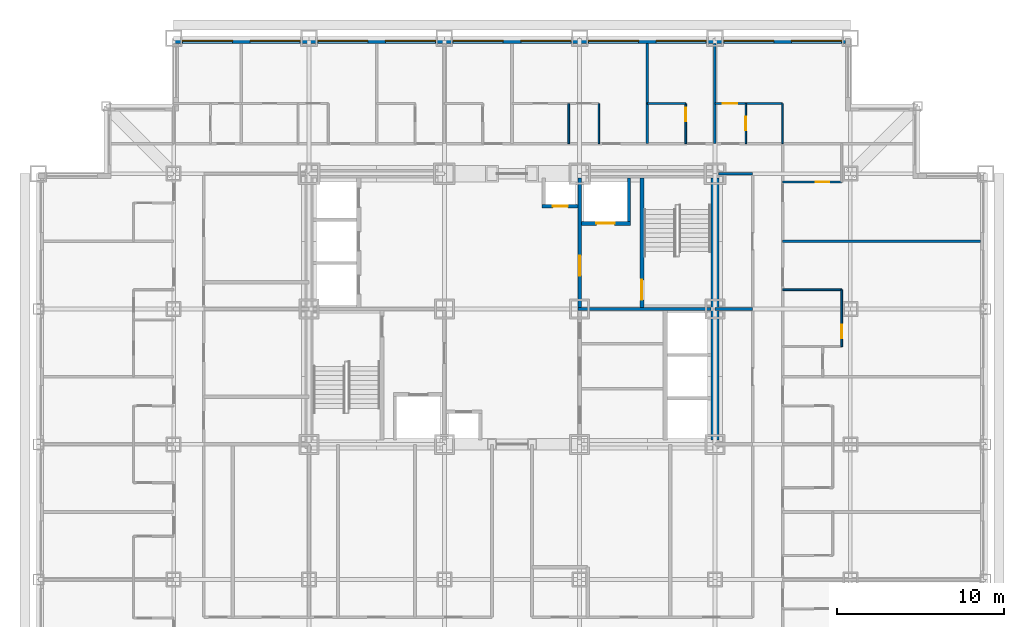
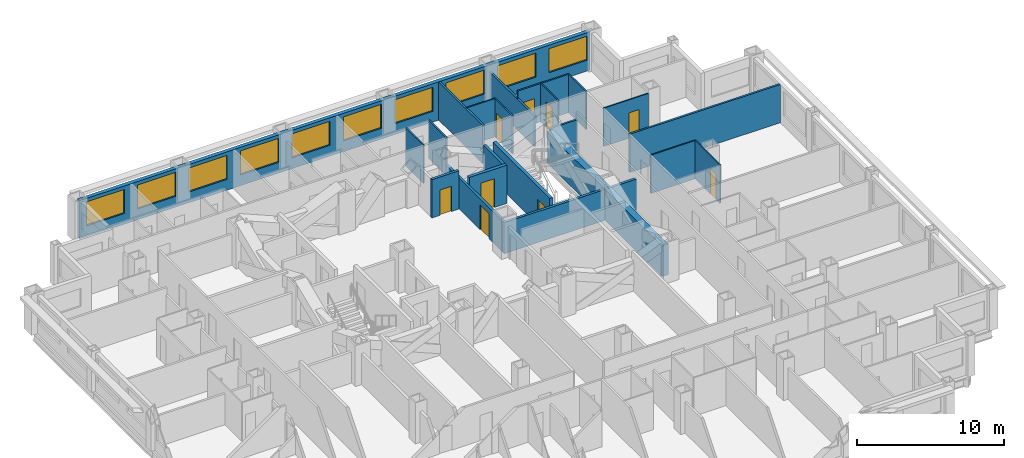
# One storey, part 10 of 12: 23 walls, 10 windows, 9 doors, 19 openings.
"""IFC4 building model written with IfcOpenShell, lengths in metres."""

from ifc_helpers import new_model, si_unit, direction, frame, frame_2d, origin, place, context, subcontext, project, spatial, rectangle, extrude, material, layer, layer_set, type_object, element, fill, save


model = new_model("IFC4")

# Units and contexts
model_context = context("Model", 3, precision=1e-05, world=origin(), true_north=direction((0.0, 1.0)))
body_context = subcontext(model_context, "Body", "Model", "MODEL_VIEW")
ifc_project = project(units=[si_unit("LENGTHUNIT", "METRE"), si_unit("AREAUNIT", "SQUARE_METRE"), si_unit("VOLUMEUNIT", "CUBIC_METRE"), si_unit("PLANEANGLEUNIT", "RADIAN"), si_unit("MASSUNIT", "GRAM", prefix="KILO")], contexts=[model_context])

# Site, building, storey
site_placement = place(None, origin())
site = spatial("IfcSite", under=ifc_project, at=site_placement, CompositionType="ELEMENT")
building_placement = place(site_placement, origin())
building = spatial("IfcBuilding", under=site, at=building_placement, Name="Kopane Lantern Tower", CompositionType="ELEMENT")
storey_placement = place(building_placement, frame((0.0, 0.0, 70.39990234375)))
storey = spatial("IfcBuildingStorey", under=building, at=storey_placement, Name="L17", CompositionType="ELEMENT", Elevation=70.39990234375)

# Wall, opening, door
ifc_material_1 = material(Name="Gypsum board on steel studs", Category="steel")
ifc_layer_1 = layer(ifc_material_1, 0.1201171875)
ifc_layer_set_1 = layer_set([ifc_layer_1], Name="APARTMENT INTERNAL WALL 120")
wall_type_1 = type_object("IfcWallType", Name="APARTMENT INTERNAL WALL 120", PredefinedType="PARTITIONING", material=ifc_layer_set_1)
wall_1_placement = place(storey_placement, frame((40.5, 44.699951171875, 0.0), z_axis=(0.0, 0.0, 1.0), x_axis=(1.0, 0.0, 0.0)))
wall_1 = element("IfcWall", 1, at=wall_1_placement, inside=storey, type_object=wall_type_1, Name="Apartment Internal Wall 120 L17", PredefinedType="PARTITIONING", context=body_context, shape_type="SweptSolid", body=[
    extrude(rectangle(XDim=4.050048828125, YDim=0.1201171875, at=frame_2d((2.02490234375, 0.0))), origin(), (0.0, 0.0, 1.0), 3.190185546875),
])
opening_1_placement = place(wall_1_placement, frame((0.47509765625, 0.0, 0.0)))
opening_1 = element("IfcOpeningElement", 2, at=opening_1_placement, cuts=wall_1, Name="Opening L17-079", PredefinedType="OPENING", context=body_context, shape_type="SweptSolid", body=[
    extrude(rectangle(XDim=0.85009765625, YDim=2.10009765625, at=frame_2d((0.425048828125, 1.050048828125))), frame((0.0, 0.070068359375, 0.0), z_axis=(0.0, -1.0, 0.0), x_axis=(1.0, 0.0, 0.0)), (0.0, 0.0, 1.0), 0.14013671875),
])
ifc_material_2 = material(Name="Timber door set", Category="wood")
door_type_1 = type_object("IfcDoorType", Name="DOOR D4 850x2100", OperationType="SINGLE_SWING_LEFT", PredefinedType="DOOR", material=ifc_material_2)
door_1_placement = place(opening_1_placement, origin())
door_1 = element("IfcDoor", 3, at=door_1_placement, inside=storey, type_object=door_type_1, Name="Door L17-079", OperationType="SINGLE_SWING_LEFT", OverallHeight=2.10009765625, OverallWidth=0.85009765625, PredefinedType="DOOR", context=body_context, shape_type="SweptSolid", body=[
    extrude(rectangle(XDim=0.85009765625, YDim=2.10009765625, at=frame_2d((0.425048828125, 1.050048828125))), frame((0.0, 0.02490234375, 0.0), z_axis=(0.0, -1.0, 0.0), x_axis=(1.0, 0.0, 0.0)), (0.0, 0.0, 1.0), 0.050048828125),
])
fill(opening_1, door_1)

# Walls
ifc_material_3 = material(Name="Moisture-resistant board on steel studs", Category="steel")
ifc_layer_2 = layer(ifc_material_3, 0.10009765625)
ifc_layer_set_2 = layer_set([ifc_layer_2], Name="BATHROOM WALL 100")
wall_type_2 = type_object("IfcWallType", Name="BATHROOM WALL 100", PredefinedType="PARTITIONING", material=ifc_layer_set_2)
for number, where, z_axis, x_axis, name in (
    (4, (31.75, 42.300048828125, 0.0), (0.0, 0.0, 1.0), (0.0, 1.0, 0.0), "Bathroom Wall 100 L17"),
    (5, (33.550048828125, 42.300048828125, 0.0), (0.0, 0.0, 1.0), (0.0, 1.0, 0.0), "Bathroom Wall 100 L17"),
):
    element("IfcWall", number, at=place(storey_placement, frame(where, z_axis=z_axis, x_axis=x_axis)), inside=storey, type_object=wall_type_2, Name=name, PredefinedType="PARTITIONING", context=body_context, shape_type="SweptSolid", body=[
        extrude(rectangle(XDim=2.39990234375, YDim=0.10009765625, at=frame_2d((1.199951171875, 0.0))), origin(), (0.0, 0.0, 1.0), 3.190185546875),
    ])
wall_2_placement = place(storey_placement, frame((36.449951171875, 44.699951171875, 0.0), z_axis=(0.0, 0.0, 1.0), x_axis=(1.0, 0.0, 0.0)))
element("IfcWall", 6, at=wall_2_placement, inside=storey, type_object=wall_type_2, Name="Bathroom Wall 100 L17", PredefinedType="PARTITIONING", context=body_context, shape_type="SweptSolid", body=[
    extrude(rectangle(XDim=2.300048828125, YDim=0.10009765625, at=frame_2d((1.14990234375, 0.0))), origin(), (0.0, 0.0, 1.0), 3.190185546875),
])

# Wall, opening, door
wall_3_placement = place(storey_placement, frame((38.75, 42.300048828125, 0.0), z_axis=(0.0, 0.0, 1.0), x_axis=(0.0, 1.0, 0.0)))
wall_3 = element("IfcWall", 7, at=wall_3_placement, inside=storey, type_object=wall_type_2, Name="Bathroom Wall 100 L17", PredefinedType="PARTITIONING", context=body_context, shape_type="SweptSolid", body=[
    extrude(rectangle(XDim=2.39990234375, YDim=0.10009765625, at=frame_2d((1.199951171875, 0.0))), origin(), (0.0, 0.0, 1.0), 3.190185546875),
])
opening_2_placement = place(wall_3_placement, frame((1.35009765625, 0.0, 0.0)))
opening_2 = element("IfcOpeningElement", 8, at=opening_2_placement, cuts=wall_3, Name="Opening L17-039", PredefinedType="OPENING", context=body_context, shape_type="SweptSolid", body=[
    extrude(rectangle(XDim=0.800048828125, YDim=2.10009765625, at=frame_2d((0.39990234375, 1.050048828125))), frame((0.0, 0.06005859375, 0.0), z_axis=(0.0, -1.0, 0.0), x_axis=(1.0, 0.0, 0.0)), (0.0, 0.0, 1.0), 0.1201171875),
])
ifc_material_4 = material(Name="Timber door set", Category="wood")
door_type_2 = type_object("IfcDoorType", Name="DOOR D2 800x2100", OperationType="SINGLE_SWING_LEFT", PredefinedType="DOOR", material=ifc_material_4)
door_2_placement = place(opening_2_placement, origin())
door_2 = element("IfcDoor", 9, at=door_2_placement, inside=storey, type_object=door_type_2, Name="Door L17-039", OperationType="SINGLE_SWING_RIGHT", OverallHeight=2.10009765625, OverallWidth=0.800048828125, PredefinedType="DOOR", context=body_context, shape_type="SweptSolid", body=[
    extrude(rectangle(XDim=0.800048828125, YDim=2.10009765625, at=frame_2d((0.39990234375, 1.050048828125))), frame((0.0, 0.02490234375, 0.0), z_axis=(0.0, -1.0, 0.0), x_axis=(1.0, 0.0, 0.0)), (0.0, 0.0, 1.0), 0.050048828125),
])
fill(opening_2, door_2)

wall_4_placement = place(storey_placement, frame((48.090087890625, 30.14990234375, 0.0), z_axis=(0.0, 0.0, 1.0), x_axis=(0.0, 1.0, 0.0)))
wall_4 = element("IfcWall", 10, at=wall_4_placement, inside=storey, type_object=wall_type_2, Name="Bathroom Wall 100 L17", PredefinedType="PARTITIONING", context=body_context, shape_type="SweptSolid", body=[
    extrude(rectangle(XDim=3.400146484375, YDim=0.10009765625, at=frame_2d((1.7001953125, 0.0))), origin(), (0.0, 0.0, 1.0), 3.190185546875),
])
opening_3_placement = place(wall_4_placement, frame((0.5, 0.0, 0.0)))
opening_3 = element("IfcOpeningElement", 11, at=opening_3_placement, cuts=wall_4, Name="Opening L17-062", PredefinedType="OPENING", context=body_context, shape_type="SweptSolid", body=[
    extrude(rectangle(XDim=0.800048828125, YDim=2.10009765625, at=frame_2d((0.39990234375, 1.050048828125))), frame((0.0, 0.06005859375, 0.0), z_axis=(0.0, -1.0, 0.0), x_axis=(1.0, 0.0, 0.0)), (0.0, 0.0, 1.0), 0.1201171875),
])
door_3_placement = place(opening_3_placement, origin())
door_3 = element("IfcDoor", 12, at=door_3_placement, inside=storey, type_object=door_type_2, Name="Door L17-062", OperationType="SINGLE_SWING_LEFT", OverallHeight=2.10009765625, OverallWidth=0.800048828125, PredefinedType="DOOR", context=body_context, shape_type="SweptSolid", body=[
    extrude(rectangle(XDim=0.800048828125, YDim=2.10009765625, at=frame_2d((0.39990234375, 1.050048828125))), frame((0.0, 0.02490234375, 0.0), z_axis=(0.0, -1.0, 0.0), x_axis=(1.0, 0.0, 0.0)), (0.0, 0.0, 1.0), 0.050048828125),
])
fill(opening_3, door_3)

# Wall
wall_5_placement = place(storey_placement, frame((44.550048828125, 33.550048828125, 0.0), z_axis=(0.0, 0.0, 1.0), x_axis=(1.0, 0.0, 0.0)))
element("IfcWall", 13, at=wall_5_placement, inside=storey, type_object=wall_type_2, Name="Bathroom Wall 100 L17", PredefinedType="PARTITIONING", context=body_context, shape_type="SweptSolid", body=[
    extrude(rectangle(XDim=3.5400390625, YDim=0.10009765625, at=frame_2d((1.77001953125, 0.0))), origin(), (0.0, 0.0, 1.0), 3.190185546875),
])

# Wall, opening, door
wall_6_placement = place(storey_placement, frame((44.550048828125, 40.0, 0.0), z_axis=(0.0, 0.0, 1.0), x_axis=(1.0, 0.0, 0.0)))
wall_6 = element("IfcWall", 14, at=wall_6_placement, inside=storey, type_object=wall_type_2, Name="Bathroom Wall 100 L17", PredefinedType="PARTITIONING", context=body_context, shape_type="SweptSolid", body=[
    extrude(rectangle(XDim=3.5400390625, YDim=0.10009765625, at=frame_2d((1.77001953125, 0.0))), origin(), (0.0, 0.0, 1.0), 3.190185546875),
])
opening_4_placement = place(wall_6_placement, frame((1.989990234375, 0.0, 0.0)))
opening_4 = element("IfcOpeningElement", 15, at=opening_4_placement, cuts=wall_6, Name="Opening L17-065", PredefinedType="OPENING", context=body_context, shape_type="SweptSolid", body=[
    extrude(rectangle(XDim=0.800048828125, YDim=2.10009765625, at=frame_2d((0.39990234375, 1.050048828125))), frame((0.0, 0.06005859375, 0.0), z_axis=(0.0, -1.0, 0.0), x_axis=(1.0, 0.0, 0.0)), (0.0, 0.0, 1.0), 0.1201171875),
])
door_4_placement = place(opening_4_placement, origin())
door_4 = element("IfcDoor", 16, at=door_4_placement, inside=storey, type_object=door_type_2, Name="Door L17-065", OperationType="SINGLE_SWING_RIGHT", OverallHeight=2.10009765625, OverallWidth=0.800048828125, PredefinedType="DOOR", context=body_context, shape_type="SweptSolid", body=[
    extrude(rectangle(XDim=0.800048828125, YDim=2.10009765625, at=frame_2d((0.39990234375, 1.050048828125))), frame((0.0, 0.02490234375, 0.0), z_axis=(0.0, -1.0, 0.0), x_axis=(1.0, 0.0, 0.0)), (0.0, 0.0, 1.0), 0.050048828125),
])
fill(opening_4, door_4)

wall_7_placement = place(storey_placement, frame((42.35009765625, 42.300048828125, 0.0), z_axis=(0.0, 0.0, 1.0), x_axis=(0.0, 1.0, 0.0)))
wall_7 = element("IfcWall", 17, at=wall_7_placement, inside=storey, type_object=wall_type_2, Name="Bathroom Wall 100 L17", PredefinedType="PARTITIONING", context=body_context, shape_type="SweptSolid", body=[
    extrude(rectangle(XDim=2.39990234375, YDim=0.10009765625, at=frame_2d((1.199951171875, 0.0))), origin(), (0.0, 0.0, 1.0), 3.190185546875),
])
opening_5_placement = place(wall_7_placement, frame((0.800048828125, 0.0, 0.0)))
opening_5 = element("IfcOpeningElement", 18, at=opening_5_placement, cuts=wall_7, Name="Opening L17-077", PredefinedType="OPENING", context=body_context, shape_type="SweptSolid", body=[
    extrude(rectangle(XDim=0.800048828125, YDim=2.10009765625, at=frame_2d((0.39990234375, 1.050048828125))), frame((0.0, 0.06005859375, 0.0), z_axis=(0.0, -1.0, 0.0), x_axis=(1.0, 0.0, 0.0)), (0.0, 0.0, 1.0), 0.1201171875),
])
door_5_placement = place(opening_5_placement, origin())
door_5 = element("IfcDoor", 19, at=door_5_placement, inside=storey, type_object=door_type_2, Name="Door L17-077", OperationType="SINGLE_SWING_RIGHT", OverallHeight=2.10009765625, OverallWidth=0.800048828125, PredefinedType="DOOR", context=body_context, shape_type="SweptSolid", body=[
    extrude(rectangle(XDim=0.800048828125, YDim=2.10009765625, at=frame_2d((0.39990234375, 1.050048828125))), frame((0.0, 0.02490234375, 0.0), z_axis=(0.0, -1.0, 0.0), x_axis=(1.0, 0.0, 0.0)), (0.0, 0.0, 1.0), 0.050048828125),
])
fill(opening_5, door_5)

# Walls
wall_8_placement = place(storey_placement, frame((44.550048828125, 42.300048828125, 0.0), z_axis=(0.0, 0.0, 1.0), x_axis=(0.0, 1.0, 0.0)))
element("IfcWall", 20, at=wall_8_placement, inside=storey, type_object=wall_type_2, Name="Bathroom Wall 100 L17", PredefinedType="PARTITIONING", context=body_context, shape_type="SweptSolid", body=[
    extrude(rectangle(XDim=2.39990234375, YDim=0.10009765625, at=frame_2d((1.199951171875, 0.0))), origin(), (0.0, 0.0, 1.0), 3.190185546875),
])
ifc_material_5 = material(Name="Gypsum shaft wall EI 120", Category="gypsum")
ifc_layer_3 = layer(ifc_material_5, 0.5)
ifc_layer_set_3 = layer_set([ifc_layer_3], Name="CORE PERIMETER WALL 500 EI 120")
wall_type_3 = type_object("IfcWallType", Name="CORE PERIMETER WALL 500 EI 120", PredefinedType="SOLIDWALL", material=ifc_layer_set_3)
wall_9_placement = place(storey_placement, frame((40.5, 24.550048828125, 0.0), z_axis=(0.0, 0.0, 1.0), x_axis=(0.0, 1.0, 0.0)))
element("IfcWall", 21, at=wall_9_placement, inside=storey, type_object=wall_type_3, Name="Core shaft wall L17 PE", PredefinedType="SOLIDWALL", context=body_context, shape_type="SweptSolid", body=[
    extrude(rectangle(XDim=15.699951171875, YDim=0.5, at=frame_2d((7.85009765625, 0.0))), origin(), (0.0, 0.0, 1.0), 2.577880859375),
])

# Wall, opening, door
ifc_material_6 = material(Name="Gypsum shaft wall EI 120", Category="gypsum")
ifc_layer_4 = layer(ifc_material_6, 0.25)
ifc_layer_set_4 = layer_set([ifc_layer_4], Name="CORE SHAFT WALL 250 EI 120")
wall_type_4 = type_object("IfcWallType", Name="CORE SHAFT WALL 250 EI 120", PredefinedType="SOLIDWALL", material=ifc_layer_set_4)
wall_10_placement = place(storey_placement, frame((36.125, 32.5, 0.0), z_axis=(0.0, 0.0, 1.0), x_axis=(0.0, 1.0, 0.0)))
wall_10 = element("IfcWall", 22, at=wall_10_placement, inside=storey, type_object=wall_type_4, Name="Core shaft wall L17 XST2", PredefinedType="SOLIDWALL", context=body_context, shape_type="SweptSolid", body=[
    extrude(rectangle(XDim=7.75, YDim=0.25, at=frame_2d((3.875, 0.0))), origin(), (0.0, 0.0, 1.0), 3.190185546875),
])
opening_6_placement = place(wall_10_placement, frame((0.449951171875, 0.0, 0.0)))
opening_6 = element("IfcOpeningElement", 23, at=opening_6_placement, cuts=wall_10, Name="Opening 17.SD2", PredefinedType="OPENING", context=body_context, shape_type="SweptSolid", body=[
    extrude(rectangle(XDim=1.199951171875, YDim=2.10009765625, at=frame_2d((0.60009765625, 1.050048828125))), frame((0.0, 0.135009765625, 0.0), z_axis=(0.0, -1.0, 0.0), x_axis=(1.0, 0.0, 0.0)), (0.0, 0.0, 1.0), 0.27001953125),
])
ifc_material_7 = material(Name="Steel door set", Category="steel")
door_type_3 = type_object("IfcDoorType", Name="STAIR DOOR 1200x2100 FD60S", OperationType="SINGLE_SWING_LEFT", PredefinedType="DOOR", material=ifc_material_7)
door_6_placement = place(opening_6_placement, origin())
door_6 = element("IfcDoor", 24, at=door_6_placement, inside=storey, type_object=door_type_3, Name="Stair door ST2 L17", OperationType="SINGLE_SWING_RIGHT", OverallHeight=2.10009765625, OverallWidth=1.199951171875, PredefinedType="DOOR", context=body_context, shape_type="SweptSolid", body=[
    extrude(rectangle(XDim=1.199951171875, YDim=2.10009765625, at=frame_2d((0.60009765625, 1.050048828125))), frame((0.0, 0.02490234375, 0.0), z_axis=(0.0, -1.0, 0.0), x_axis=(1.0, 0.0, 0.0)), (0.0, 0.0, 1.0), 0.050048828125),
])
fill(opening_6, door_6)

wall_11_placement = place(storey_placement, frame((32.5, 37.52490234375, 0.0), z_axis=(0.0, 0.0, 1.0), x_axis=(1.0, 0.0, 0.0)))
wall_11 = element("IfcWall", 25, at=wall_11_placement, inside=storey, type_object=wall_type_4, Name="Core shaft wall L17 YLF2", PredefinedType="SOLIDWALL", context=body_context, shape_type="SweptSolid", body=[
    extrude(rectangle(XDim=2.949951171875, YDim=0.25, at=frame_2d((1.47509765625, 0.0))), origin(), (0.0, 0.0, 1.0), 3.190185546875),
])
opening_7_placement = place(wall_11_placement, frame((0.89990234375, 0.0, 0.0)))
opening_7 = element("IfcOpeningElement", 26, at=opening_7_placement, cuts=wall_11, Name="Opening 17.LD-LF2", PredefinedType="OPENING", context=body_context, shape_type="SweptSolid", body=[
    extrude(rectangle(XDim=1.10009765625, YDim=2.39990234375, at=frame_2d((0.550048828125, 1.199951171875))), frame((0.0, 0.135009765625, 0.0), z_axis=(0.0, -1.0, 0.0), x_axis=(1.0, 0.0, 0.0)), (0.0, 0.0, 1.0), 0.27001953125),
])
ifc_material_8 = material(Name="Steel door set", Category="steel")
door_type_4 = type_object("IfcDoorType", Name="LIFT LANDING DOOR 1100x2400 FD60", OperationType="DOUBLE_DOOR_SLIDING", PredefinedType="DOOR", material=ifc_material_8)
door_7_placement = place(opening_7_placement, origin())
door_7 = element("IfcDoor", 27, at=door_7_placement, inside=storey, type_object=door_type_4, Name="Landing door LF2 L17", OperationType="DOUBLE_DOOR_SLIDING", OverallHeight=2.39990234375, OverallWidth=1.10009765625, PredefinedType="DOOR", context=body_context, shape_type="SweptSolid", body=[
    extrude(rectangle(XDim=1.10009765625, YDim=2.39990234375, at=frame_2d((0.550048828125, 1.199951171875))), frame((0.0, 0.02490234375, 0.0), z_axis=(0.0, -1.0, 0.0), x_axis=(1.0, 0.0, 0.0)), (0.0, 0.0, 1.0), 0.050048828125),
])
fill(opening_7, door_7)

# Walls
ifc_material_9 = material(Name="Gypsum board on steel studs", Category="steel")
ifc_layer_5 = layer(ifc_material_9, 0.14990234375)
ifc_layer_set_5 = layer_set([ifc_layer_5], Name="CORRIDOR WALL 150 EI 60")
wall_type_5 = type_object("IfcWallType", Name="CORRIDOR WALL 150 EI 60", PredefinedType="PARTITIONING", material=ifc_layer_set_5)
wall_12_placement = place(storey_placement, frame((42.75, 40.5, 0.0), z_axis=(0.0, 0.0, 1.0), x_axis=(-1.0, 0.0, 0.0)))
element("IfcWall", 28, at=wall_12_placement, inside=storey, type_object=wall_type_5, Name="Corridor Wall 150 Ei 60 L17", PredefinedType="PARTITIONING", context=body_context, shape_type="SweptSolid", body=[
    extrude(rectangle(XDim=2.050048828125, YDim=0.14990234375, at=frame_2d((1.02490234375, 0.0))), origin(), (0.0, 0.0, 1.0), 2.577880859375),
])
ifc_material_10 = material(Name="Gypsum board on steel studs", Category="steel")
ifc_layer_6 = layer(ifc_material_10, 0.14990234375)
ifc_layer_set_6 = layer_set([ifc_layer_6], Name="DEMISING WALL 150 EI 60")
wall_type_6 = type_object("IfcWallType", Name="DEMISING WALL 150 EI 60", PredefinedType="PARTITIONING", material=ifc_layer_set_6)
wall_13_placement = place(storey_placement, frame((36.449951171875, 42.300048828125, 0.0), z_axis=(0.0, 0.0, 1.0), x_axis=(0.0, 1.0, 0.0)))
element("IfcWall", 29, at=wall_13_placement, inside=storey, type_object=wall_type_6, Name="Demising Wall 150 Ei 60 L17", PredefinedType="PARTITIONING", context=body_context, shape_type="SweptSolid", body=[
    extrude(rectangle(XDim=6.0, YDim=0.14990234375, at=frame_2d((3.0, 0.0))), origin(), (0.0, 0.0, 1.0), 3.190185546875),
])
wall_14_placement = place(storey_placement, frame((44.550048828125, 36.449951171875, 0.0), z_axis=(0.0, 0.0, 1.0), x_axis=(1.0, 0.0, 0.0)))
element("IfcWall", 30, at=wall_14_placement, inside=storey, type_object=wall_type_6, Name="Demising Wall 150 Ei 60 L17", PredefinedType="PARTITIONING", context=body_context, shape_type="SweptSolid", body=[
    extrude(rectangle(XDim=11.849853515625, YDim=0.14990234375, at=frame_2d((5.9248046875, 0.0))), origin(), (0.0, 0.0, 1.0), 3.190185546875),
])
wall_15_placement = place(storey_placement, frame((40.5, 42.300048828125, 0.0), z_axis=(0.0, 0.0, 1.0), x_axis=(0.0, 1.0, 0.0)))
element("IfcWall", 31, at=wall_15_placement, inside=storey, type_object=wall_type_6, Name="Demising Wall 150 Ei 60 L17", PredefinedType="PARTITIONING", context=body_context, shape_type="SweptSolid", body=[
    extrude(rectangle(XDim=6.0, YDim=0.14990234375, at=frame_2d((3.0, 0.0))), origin(), (0.0, 0.0, 1.0), 2.577880859375),
])

# Wall, openings, windows
ifc_material_11 = material(Name="Terracotta rainscreen on light steel framing", Category="masonry")
ifc_layer_7 = layer(ifc_material_11, 0.300048828125)
ifc_layer_set_7 = layer_set([ifc_layer_7], Name="EXTERNAL WALL EW1 300 TERRACOTTA")
wall_type_7 = type_object("IfcWallType", Name="EXTERNAL WALL EW1 300 TERRACOTTA", PredefinedType="SOLIDWALL", material=ifc_layer_set_7)
wall_16_placement = place(storey_placement, frame((48.300048828125, 48.449951171875, 0.0), z_axis=(0.0, 0.0, 1.0), x_axis=(-1.0, 0.0, 0.0)))
wall_16 = element("IfcWall", 32, at=wall_16_placement, inside=storey, type_object=wall_type_7, Name="External wall N L17", PredefinedType="SOLIDWALL", context=body_context, shape_type="SweptSolid", body=[
    extrude(rectangle(XDim=40.199951171875, YDim=0.300048828125, at=frame_2d((20.10009765625, 0.0))), origin(), (0.0, 0.0, 1.0), 3.190185546875),
])
opening_8_placement = place(wall_16_placement, frame((0.22509765625, 0.0, 0.89990234375)))
opening_8 = element("IfcOpeningElement", 33, at=opening_8_placement, cuts=wall_16, Name="Opening WR300200", PredefinedType="OPENING", context=body_context, shape_type="SweptSolid", body=[
    extrude(rectangle(XDim=3.0, YDim=2.0, at=frame_2d((1.5, 1.0))), frame((0.0, 0.159912109375, 0.0), z_axis=(0.0, -1.0, 0.0), x_axis=(1.0, 0.0, 0.0)), (0.0, 0.0, 1.0), 0.320068359375),
])
opening_9_placement = place(wall_16_placement, frame((4.27490234375, 0.0, 0.89990234375)))
opening_9 = element("IfcOpeningElement", 34, at=opening_9_placement, cuts=wall_16, Name="Opening WR300200", PredefinedType="OPENING", context=body_context, shape_type="SweptSolid", body=[
    extrude(rectangle(XDim=3.0, YDim=2.0, at=frame_2d((1.5, 1.0))), frame((0.0, 0.159912109375, 0.0), z_axis=(0.0, -1.0, 0.0), x_axis=(1.0, 0.0, 0.0)), (0.0, 0.0, 1.0), 0.320068359375),
])
opening_10_placement = place(wall_16_placement, frame((8.324951171875, 0.0, 0.89990234375)))
opening_10 = element("IfcOpeningElement", 35, at=opening_10_placement, cuts=wall_16, Name="Opening WR300200", PredefinedType="OPENING", context=body_context, shape_type="SweptSolid", body=[
    extrude(rectangle(XDim=3.0, YDim=2.0, at=frame_2d((1.5, 1.0))), frame((0.0, 0.159912109375, 0.0), z_axis=(0.0, -1.0, 0.0), x_axis=(1.0, 0.0, 0.0)), (0.0, 0.0, 1.0), 0.320068359375),
])
opening_11_placement = place(wall_16_placement, frame((12.375, 0.0, 0.89990234375)))
opening_11 = element("IfcOpeningElement", 36, at=opening_11_placement, cuts=wall_16, Name="Opening WR300200", PredefinedType="OPENING", context=body_context, shape_type="SweptSolid", body=[
    extrude(rectangle(XDim=3.0, YDim=2.0, at=frame_2d((1.5, 1.0))), frame((0.0, 0.159912109375, 0.0), z_axis=(0.0, -1.0, 0.0), x_axis=(1.0, 0.0, 0.0)), (0.0, 0.0, 1.0), 0.320068359375),
])
opening_12_placement = place(wall_16_placement, frame((16.425048828125, 0.0, 0.89990234375)))
opening_12 = element("IfcOpeningElement", 37, at=opening_12_placement, cuts=wall_16, Name="Opening WR300200", PredefinedType="OPENING", context=body_context, shape_type="SweptSolid", body=[
    extrude(rectangle(XDim=3.0, YDim=2.0, at=frame_2d((1.5, 1.0))), frame((0.0, 0.159912109375, 0.0), z_axis=(0.0, -1.0, 0.0), x_axis=(1.0, 0.0, 0.0)), (0.0, 0.0, 1.0), 0.320068359375),
])
opening_13_placement = place(wall_16_placement, frame((20.47509765625, 0.0, 0.89990234375)))
opening_13 = element("IfcOpeningElement", 38, at=opening_13_placement, cuts=wall_16, Name="Opening WR300200", PredefinedType="OPENING", context=body_context, shape_type="SweptSolid", body=[
    extrude(rectangle(XDim=3.0, YDim=2.0, at=frame_2d((1.5, 1.0))), frame((0.0, 0.159912109375, 0.0), z_axis=(0.0, -1.0, 0.0), x_axis=(1.0, 0.0, 0.0)), (0.0, 0.0, 1.0), 0.320068359375),
])
opening_14_placement = place(wall_16_placement, frame((24.52490234375, 0.0, 0.89990234375)))
opening_14 = element("IfcOpeningElement", 39, at=opening_14_placement, cuts=wall_16, Name="Opening WR300200", PredefinedType="OPENING", context=body_context, shape_type="SweptSolid", body=[
    extrude(rectangle(XDim=3.0, YDim=2.0, at=frame_2d((1.5, 1.0))), frame((0.0, 0.159912109375, 0.0), z_axis=(0.0, -1.0, 0.0), x_axis=(1.0, 0.0, 0.0)), (0.0, 0.0, 1.0), 0.320068359375),
])
opening_15_placement = place(wall_16_placement, frame((28.574951171875, 0.0, 0.89990234375)))
opening_15 = element("IfcOpeningElement", 40, at=opening_15_placement, cuts=wall_16, Name="Opening WR300200", PredefinedType="OPENING", context=body_context, shape_type="SweptSolid", body=[
    extrude(rectangle(XDim=3.0, YDim=2.0, at=frame_2d((1.5, 1.0))), frame((0.0, 0.159912109375, 0.0), z_axis=(0.0, -1.0, 0.0), x_axis=(1.0, 0.0, 0.0)), (0.0, 0.0, 1.0), 0.320068359375),
])
opening_16_placement = place(wall_16_placement, frame((32.625, 0.0, 0.89990234375)))
opening_16 = element("IfcOpeningElement", 41, at=opening_16_placement, cuts=wall_16, Name="Opening WR300200", PredefinedType="OPENING", context=body_context, shape_type="SweptSolid", body=[
    extrude(rectangle(XDim=3.0, YDim=2.0, at=frame_2d((1.5, 1.0))), frame((0.0, 0.159912109375, 0.0), z_axis=(0.0, -1.0, 0.0), x_axis=(1.0, 0.0, 0.0)), (0.0, 0.0, 1.0), 0.320068359375),
])
opening_17_placement = place(wall_16_placement, frame((36.675048828125, 0.0, 0.89990234375)))
opening_17 = element("IfcOpeningElement", 42, at=opening_17_placement, cuts=wall_16, Name="Opening WR300200", PredefinedType="OPENING", context=body_context, shape_type="SweptSolid", body=[
    extrude(rectangle(XDim=3.0, YDim=2.0, at=frame_2d((1.5, 1.0))), frame((0.0, 0.159912109375, 0.0), z_axis=(0.0, -1.0, 0.0), x_axis=(1.0, 0.0, 0.0)), (0.0, 0.0, 1.0), 0.320068359375),
])
ifc_material_12 = material(Name="Aluminium and clear glass", Category="aluminium")
window_type = type_object("IfcWindowType", Name="RIBBON WINDOW WR300200 3000x2000", PartitioningType="SINGLE_PANEL", PredefinedType="WINDOW", material=ifc_material_12)
window_1_placement = place(opening_8_placement, origin())
window_1 = element("IfcWindow", 43, at=window_1_placement, inside=storey, type_object=window_type, Name="Window N L17", OverallHeight=2.0, OverallWidth=3.0, PartitioningType="SINGLE_PANEL", PredefinedType="WINDOW", context=body_context, shape_type="SweptSolid", body=[
    extrude(rectangle(XDim=3.0, YDim=2.0, at=frame_2d((1.5, 1.0))), frame((0.0, 0.030029296875, 0.0), z_axis=(0.0, -1.0, 0.0), x_axis=(1.0, 0.0, 0.0)), (0.0, 0.0, 1.0), 0.06005859375),
])
fill(opening_8, window_1)
window_2_placement = place(opening_9_placement, origin())
window_2 = element("IfcWindow", 44, at=window_2_placement, inside=storey, type_object=window_type, Name="Window N L17", OverallHeight=2.0, OverallWidth=3.0, PartitioningType="SINGLE_PANEL", PredefinedType="WINDOW", context=body_context, shape_type="SweptSolid", body=[
    extrude(rectangle(XDim=3.0, YDim=2.0, at=frame_2d((1.5, 1.0))), frame((0.0, 0.030029296875, 0.0), z_axis=(0.0, -1.0, 0.0), x_axis=(1.0, 0.0, 0.0)), (0.0, 0.0, 1.0), 0.06005859375),
])
fill(opening_9, window_2)
window_3_placement = place(opening_10_placement, origin())
window_3 = element("IfcWindow", 45, at=window_3_placement, inside=storey, type_object=window_type, Name="Window N L17", OverallHeight=2.0, OverallWidth=3.0, PartitioningType="SINGLE_PANEL", PredefinedType="WINDOW", context=body_context, shape_type="SweptSolid", body=[
    extrude(rectangle(XDim=3.0, YDim=2.0, at=frame_2d((1.5, 1.0))), frame((0.0, 0.030029296875, 0.0), z_axis=(0.0, -1.0, 0.0), x_axis=(1.0, 0.0, 0.0)), (0.0, 0.0, 1.0), 0.06005859375),
])
fill(opening_10, window_3)
window_4_placement = place(opening_11_placement, origin())
window_4 = element("IfcWindow", 46, at=window_4_placement, inside=storey, type_object=window_type, Name="Window N L17", OverallHeight=2.0, OverallWidth=3.0, PartitioningType="SINGLE_PANEL", PredefinedType="WINDOW", context=body_context, shape_type="SweptSolid", body=[
    extrude(rectangle(XDim=3.0, YDim=2.0, at=frame_2d((1.5, 1.0))), frame((0.0, 0.030029296875, 0.0), z_axis=(0.0, -1.0, 0.0), x_axis=(1.0, 0.0, 0.0)), (0.0, 0.0, 1.0), 0.06005859375),
])
fill(opening_11, window_4)
window_5_placement = place(opening_12_placement, origin())
window_5 = element("IfcWindow", 47, at=window_5_placement, inside=storey, type_object=window_type, Name="Window N L17", OverallHeight=2.0, OverallWidth=3.0, PartitioningType="SINGLE_PANEL", PredefinedType="WINDOW", context=body_context, shape_type="SweptSolid", body=[
    extrude(rectangle(XDim=3.0, YDim=2.0, at=frame_2d((1.5, 1.0))), frame((0.0, 0.030029296875, 0.0), z_axis=(0.0, -1.0, 0.0), x_axis=(1.0, 0.0, 0.0)), (0.0, 0.0, 1.0), 0.06005859375),
])
fill(opening_12, window_5)
window_6_placement = place(opening_13_placement, origin())
window_6 = element("IfcWindow", 48, at=window_6_placement, inside=storey, type_object=window_type, Name="Window N L17", OverallHeight=2.0, OverallWidth=3.0, PartitioningType="SINGLE_PANEL", PredefinedType="WINDOW", context=body_context, shape_type="SweptSolid", body=[
    extrude(rectangle(XDim=3.0, YDim=2.0, at=frame_2d((1.5, 1.0))), frame((0.0, 0.030029296875, 0.0), z_axis=(0.0, -1.0, 0.0), x_axis=(1.0, 0.0, 0.0)), (0.0, 0.0, 1.0), 0.06005859375),
])
fill(opening_13, window_6)
window_7_placement = place(opening_14_placement, origin())
window_7 = element("IfcWindow", 49, at=window_7_placement, inside=storey, type_object=window_type, Name="Window N L17", OverallHeight=2.0, OverallWidth=3.0, PartitioningType="SINGLE_PANEL", PredefinedType="WINDOW", context=body_context, shape_type="SweptSolid", body=[
    extrude(rectangle(XDim=3.0, YDim=2.0, at=frame_2d((1.5, 1.0))), frame((0.0, 0.030029296875, 0.0), z_axis=(0.0, -1.0, 0.0), x_axis=(1.0, 0.0, 0.0)), (0.0, 0.0, 1.0), 0.06005859375),
])
fill(opening_14, window_7)
window_8_placement = place(opening_15_placement, origin())
window_8 = element("IfcWindow", 50, at=window_8_placement, inside=storey, type_object=window_type, Name="Window N L17", OverallHeight=2.0, OverallWidth=3.0, PartitioningType="SINGLE_PANEL", PredefinedType="WINDOW", context=body_context, shape_type="SweptSolid", body=[
    extrude(rectangle(XDim=3.0, YDim=2.0, at=frame_2d((1.5, 1.0))), frame((0.0, 0.030029296875, 0.0), z_axis=(0.0, -1.0, 0.0), x_axis=(1.0, 0.0, 0.0)), (0.0, 0.0, 1.0), 0.06005859375),
])
fill(opening_15, window_8)
window_9_placement = place(opening_16_placement, origin())
window_9 = element("IfcWindow", 51, at=window_9_placement, inside=storey, type_object=window_type, Name="Window N L17", OverallHeight=2.0, OverallWidth=3.0, PartitioningType="SINGLE_PANEL", PredefinedType="WINDOW", context=body_context, shape_type="SweptSolid", body=[
    extrude(rectangle(XDim=3.0, YDim=2.0, at=frame_2d((1.5, 1.0))), frame((0.0, 0.030029296875, 0.0), z_axis=(0.0, -1.0, 0.0), x_axis=(1.0, 0.0, 0.0)), (0.0, 0.0, 1.0), 0.06005859375),
])
fill(opening_16, window_9)
window_10_placement = place(opening_17_placement, origin())
window_10 = element("IfcWindow", 52, at=window_10_placement, inside=storey, type_object=window_type, Name="Window N L17", OverallHeight=2.0, OverallWidth=3.0, PartitioningType="SINGLE_PANEL", PredefinedType="WINDOW", context=body_context, shape_type="SweptSolid", body=[
    extrude(rectangle(XDim=3.0, YDim=2.0, at=frame_2d((1.5, 1.0))), frame((0.0, 0.030029296875, 0.0), z_axis=(0.0, -1.0, 0.0), x_axis=(1.0, 0.0, 0.0)), (0.0, 0.0, 1.0), 0.06005859375),
])
fill(opening_17, window_10)

# Walls
ifc_material_13 = material(Name="Concrete masonry", Category="masonry")
ifc_layer_8 = layer(ifc_material_13, 0.199951171875)
ifc_layer_set_8 = layer_set([ifc_layer_8], Name="PLANT ROOM WALL 200 EI 120")
wall_type_8 = type_object("IfcWallType", Name="PLANT ROOM WALL 200 EI 120", PredefinedType="SOLIDWALL", material=ifc_layer_set_8)
wall_17_placement = place(storey_placement, frame((40.5, 32.39990234375, 0.0), z_axis=(0.0, 0.0, 1.0), x_axis=(1.0, 0.0, 0.0)))
element("IfcWall", 53, at=wall_17_placement, inside=storey, type_object=wall_type_8, Name="Plant Room Wall 200 Ei 120 L17", PredefinedType="SOLIDWALL", context=body_context, shape_type="SweptSolid", body=[
    extrude(rectangle(XDim=2.25, YDim=0.199951171875, at=frame_2d((1.125, 0.0))), origin(), (0.0, 0.0, 1.0), 2.577880859375),
])
ifc_material_14 = material(Name="Gypsum shaft wall EI 120", Category="gypsum")
ifc_layer_9 = layer(ifc_material_14, 0.199951171875)
ifc_layer_set_9 = layer_set([ifc_layer_9], Name="SHAFT WALL 200 EI 120")
wall_type_9 = type_object("IfcWallType", Name="SHAFT WALL 200 EI 120", PredefinedType="SOLIDWALL", material=ifc_layer_set_9)
wall_18_placement = place(storey_placement, frame((32.300048828125, 32.39990234375, 0.0), z_axis=(0.0, 0.0, 1.0), x_axis=(1.0, 0.0, 0.0)))
element("IfcWall", 54, at=wall_18_placement, inside=storey, type_object=wall_type_9, Name="Core shaft wall L17 Y324E", PredefinedType="SOLIDWALL", context=body_context, shape_type="SweptSolid", body=[
    extrude(rectangle(XDim=7.949951171875, YDim=0.199951171875, at=frame_2d((3.97509765625, 0.0))), origin(), (0.0, 0.0, 1.0), 2.577880859375),
])

# Wall, opening, door
wall_19_placement = place(storey_placement, frame((32.39990234375, 32.5, 0.0), z_axis=(0.0, 0.0, 1.0), x_axis=(0.0, 1.0, 0.0)))
wall_19 = element("IfcWall", 55, at=wall_19_placement, inside=storey, type_object=wall_type_9, Name="Core shaft wall L17 X324", PredefinedType="SOLIDWALL", context=body_context, shape_type="SweptSolid", body=[
    extrude(rectangle(XDim=7.75, YDim=0.199951171875, at=frame_2d((3.875, 0.0))), origin(), (0.0, 0.0, 1.0), 2.577880859375),
])
opening_18_placement = place(wall_19_placement, frame((1.89990234375, 0.0, 0.0)))
opening_18 = element("IfcOpeningElement", 56, at=opening_18_placement, cuts=wall_19, Name="Opening 17.FL2", PredefinedType="OPENING", context=body_context, shape_type="SweptSolid", body=[
    extrude(rectangle(XDim=1.199951171875, YDim=2.10009765625, at=frame_2d((0.60009765625, 1.050048828125))), frame((0.0, 0.10986328125, 0.0), z_axis=(0.0, -1.0, 0.0), x_axis=(1.0, 0.0, 0.0)), (0.0, 0.0, 1.0), 0.219970703125),
])
ifc_material_15 = material(Name="Steel door set", Category="steel")
door_type_5 = type_object("IfcDoorType", Name="FIREFIGHTING LOBBY DOOR 1200x2100 FD60S", OperationType="SINGLE_SWING_RIGHT", PredefinedType="DOOR", material=ifc_material_15)
door_8_placement = place(opening_18_placement, origin())
door_8 = element("IfcDoor", 57, at=door_8_placement, inside=storey, type_object=door_type_5, Name="Firefighting lobby door FL2 L17", OperationType="SINGLE_SWING_LEFT", OverallHeight=2.10009765625, OverallWidth=1.199951171875, PredefinedType="DOOR", context=body_context, shape_type="SweptSolid", body=[
    extrude(rectangle(XDim=1.199951171875, YDim=2.10009765625, at=frame_2d((0.60009765625, 1.050048828125))), frame((0.0, 0.02490234375, 0.0), z_axis=(0.0, -1.0, 0.0), x_axis=(1.0, 0.0, 0.0)), (0.0, 0.0, 1.0), 0.050048828125),
])
fill(opening_18, door_8)

# Wall
wall_20_placement = place(storey_placement, frame((35.35009765625, 37.64990234375, 0.0), z_axis=(0.0, 0.0, 1.0), x_axis=(0.0, 1.0, 0.0)))
element("IfcWall", 58, at=wall_20_placement, inside=storey, type_object=wall_type_9, Name="Core shaft wall L17 XLF2", PredefinedType="SOLIDWALL", context=body_context, shape_type="SweptSolid", body=[
    extrude(rectangle(XDim=2.60009765625, YDim=0.199951171875, at=frame_2d((1.300048828125, 0.0))), origin(), (0.0, 0.0, 1.0), 3.190185546875),
])

# Wall, opening, door
wall_21_placement = place(storey_placement, frame((30.14990234375, 38.550048828125, 0.0), z_axis=(0.0, 0.0, 1.0), x_axis=(1.0, 0.0, 0.0)))
wall_21 = element("IfcWall", 59, at=wall_21_placement, inside=storey, type_object=wall_type_9, Name="Core shaft wall L17 YRS2", PredefinedType="SOLIDWALL", context=body_context, shape_type="SweptSolid", body=[
    extrude(rectangle(XDim=2.150146484375, YDim=0.199951171875, at=frame_2d((1.0751953125, 0.0))), origin(), (0.0, 0.0, 1.0), 3.190185546875),
])
opening_19_placement = place(wall_21_placement, frame((0.64990234375, 0.0, 0.0)))
opening_19 = element("IfcOpeningElement", 60, at=opening_19_placement, cuts=wall_21, Name="Opening 17.RS2", PredefinedType="OPENING", context=body_context, shape_type="SweptSolid", body=[
    extrude(rectangle(XDim=0.89990234375, YDim=2.10009765625, at=frame_2d((0.449951171875, 1.050048828125))), frame((0.0, 0.10986328125, 0.0), z_axis=(0.0, -1.0, 0.0), x_axis=(1.0, 0.0, 0.0)), (0.0, 0.0, 1.0), 0.219970703125),
])
ifc_material_16 = material(Name="Steel door set", Category="steel")
door_type_6 = type_object("IfcDoorType", Name="RISER ACCESS DOOR 900x2100 FD60", OperationType="SINGLE_SWING_LEFT", PredefinedType="DOOR", material=ifc_material_16)
door_9_placement = place(opening_19_placement, origin())
door_9 = element("IfcDoor", 61, at=door_9_placement, inside=storey, type_object=door_type_6, Name="Riser access door RS2 L17", OperationType="SINGLE_SWING_LEFT", OverallHeight=2.10009765625, OverallWidth=0.89990234375, PredefinedType="DOOR", context=body_context, shape_type="SweptSolid", body=[
    extrude(rectangle(XDim=0.89990234375, YDim=2.10009765625, at=frame_2d((0.449951171875, 1.050048828125))), frame((0.0, 0.02490234375, 0.0), z_axis=(0.0, -1.0, 0.0), x_axis=(1.0, 0.0, 0.0)), (0.0, 0.0, 1.0), 0.050048828125),
])
fill(opening_19, door_9)

save(model, "model.ifc")
